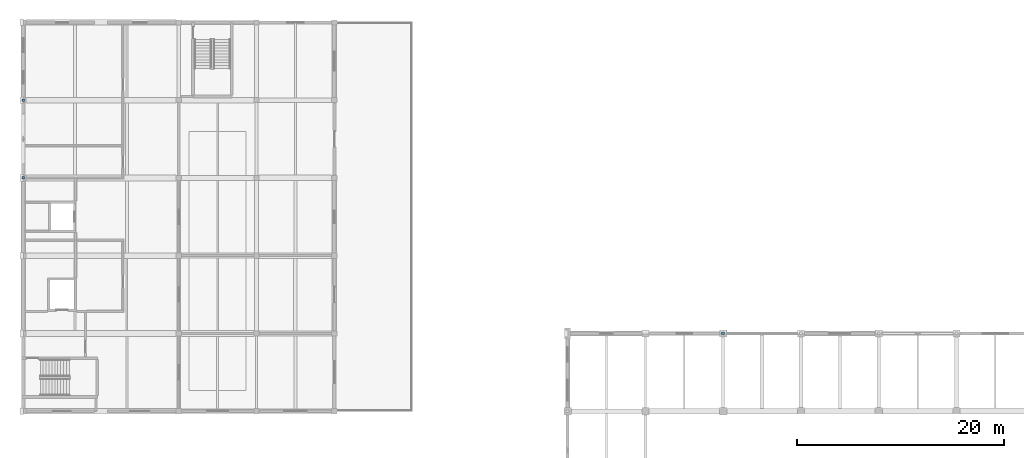
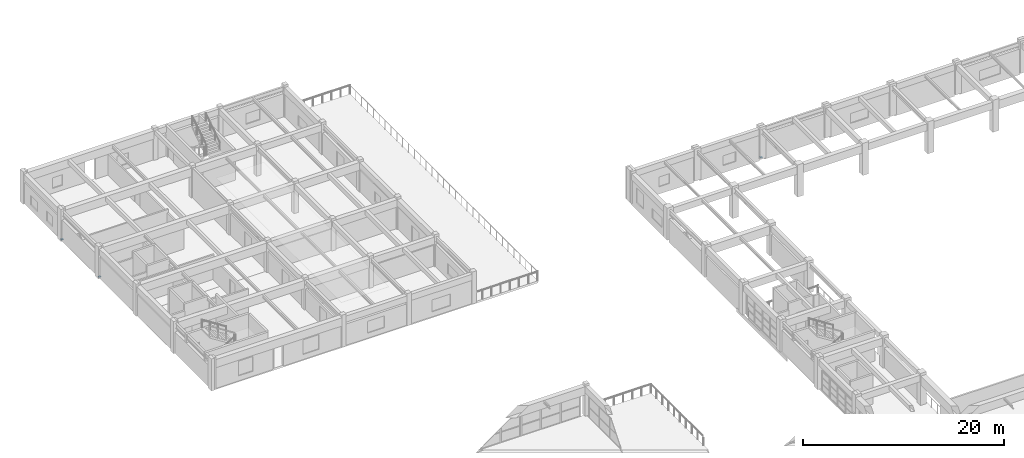
# One storey, part 70 of 82: 3 discrete accessories.
"""IFC4 building model written with IfcOpenShell, lengths in metres."""

from ifc_helpers import new_model, si_unit, direction, frame, origin, origin_2d, place, context, subcontext, project, spatial, rectangle, extrude, material, type_object, element, save


model = new_model("IFC4")

# Units and contexts
model_context = context("Model", 3, precision=1e-05, world=origin(), true_north=direction((0.0, 1.0)))
body_context = subcontext(model_context, "Body", "Model", "MODEL_VIEW")
ifc_project = project(units=[si_unit("LENGTHUNIT", "METRE"), si_unit("AREAUNIT", "SQUARE_METRE"), si_unit("VOLUMEUNIT", "CUBIC_METRE"), si_unit("PLANEANGLEUNIT", "RADIAN"), si_unit("MASSUNIT", "GRAM", prefix="KILO")], contexts=[model_context])

# Site, building, storey
site_placement = place(None, origin())
site = spatial("IfcSite", under=ifc_project, at=site_placement, CompositionType="ELEMENT")
building_placement = place(site_placement, origin())
building = spatial("IfcBuilding", under=site, at=building_placement, Name="Qasida Concert Hall", CompositionType="ELEMENT")
storey_placement = place(building_placement, frame((0.0, 0.0, 17.10009765625)))
storey = spatial("IfcBuildingStorey", under=building, at=storey_placement, Name="L04", CompositionType="ELEMENT", Elevation=17.10009765625)

# Discrete accessories
ifc_material = material(Name="Steel S355J2", Category="steel")
discrete_accessory_type = type_object("IfcDiscreteAccessoryType", Name="ACC-CONN-S355", PredefinedType="BRACKET", material=ifc_material)
for number, where, z_axis, x_axis, name in (
    (1, (67.5, 82.5, -0.011962890625), (0.0, 0.0, 1.0), (1.0, 0.0, 0.0), "Steel brace/strut end connection CN-0212"),
    (2, (0.0, 97.5, -0.011962890625), (0.0, 0.0, 1.0), (1.0, 0.0, 0.0), "Steel brace/strut end connection CN-0244"),
    (3, (0.0, 105.0, -0.011962890625), (0.0, 0.0, 1.0), (1.0, 0.0, 0.0), "Steel brace/strut end connection CN-0245"),
):
    element("IfcDiscreteAccessory", number, at=place(storey_placement, frame(where, z_axis=z_axis, x_axis=x_axis)), inside=storey, type_object=discrete_accessory_type, Name=name, PredefinedType="BRACKET", context=body_context, shape_type="SweptSolid", body=[
        extrude(rectangle(XDim=0.280029296875, YDim=0.239990234375, at=origin_2d()), origin(), (0.0, 0.0, 1.0), 0.02392578125),
    ])

save(model, "model.ifc")
